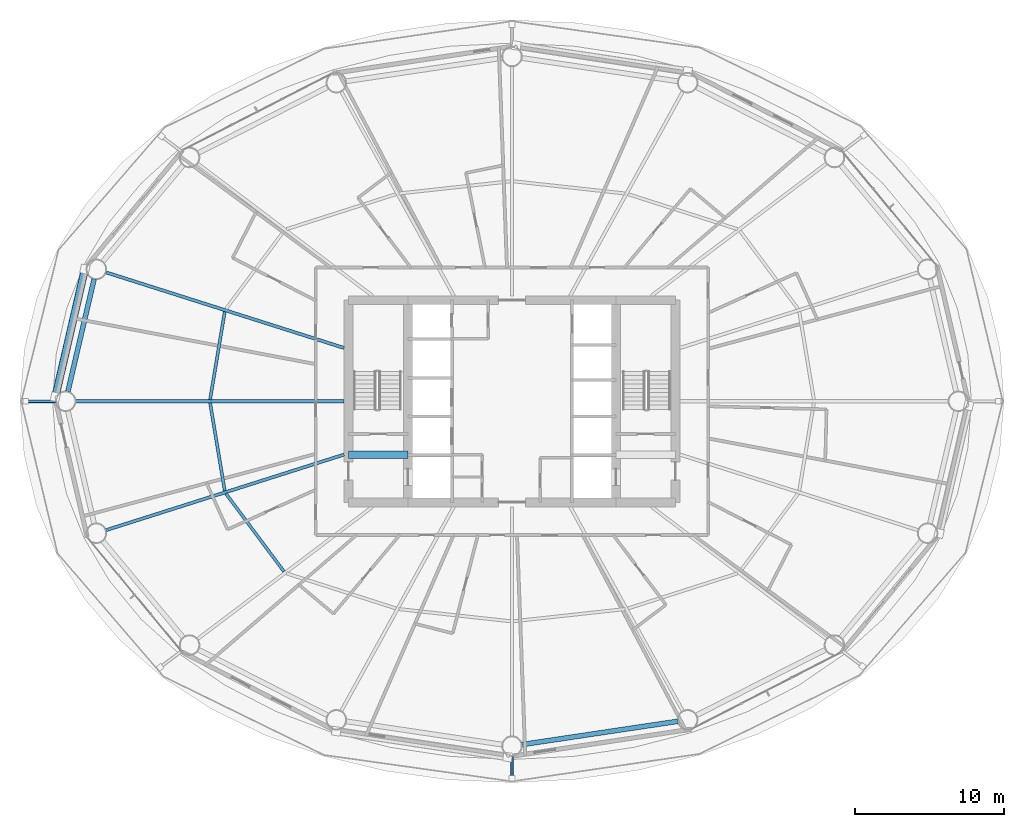
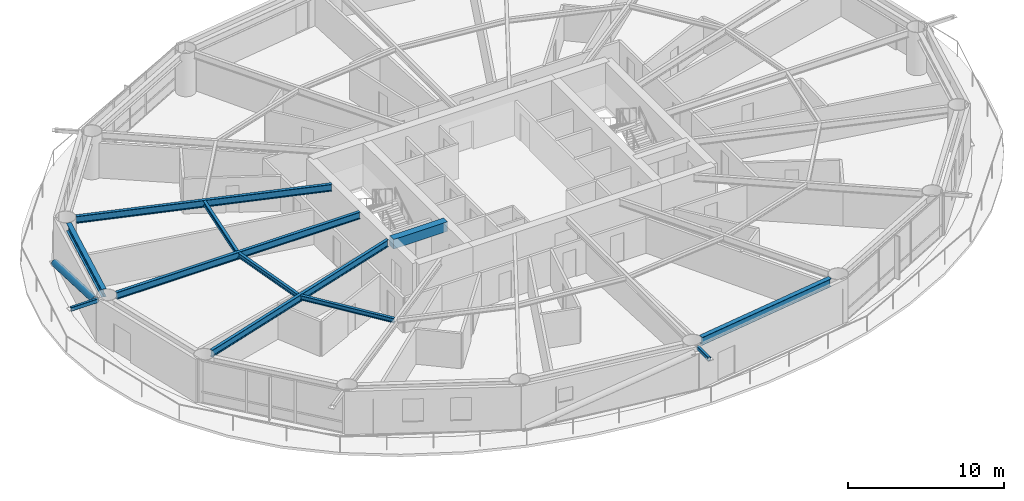
# One storey, part 5 of 26: 9 beams, 3 members.
"""IFC4 building model written with IfcOpenShell, lengths in metres."""

from ifc_helpers import new_model, si_unit, direction, frame, origin, origin_2d, place, context, subcontext, project, spatial, rectangle, hollow_rectangle, hollow_circle, i_section, extrude, material, material_profile, profile_set, type_object, element, save


model = new_model("IFC4")

# Units and contexts
model_context = context("Model", 3, precision=1e-05, world=origin(), true_north=direction((0.0, 1.0)))
body_context = subcontext(model_context, "Body", "Model", "MODEL_VIEW")
ifc_project = project(units=[si_unit("LENGTHUNIT", "METRE"), si_unit("AREAUNIT", "SQUARE_METRE"), si_unit("VOLUMEUNIT", "CUBIC_METRE"), si_unit("PLANEANGLEUNIT", "RADIAN"), si_unit("MASSUNIT", "GRAM", prefix="KILO")], contexts=[model_context])

# Site, building, storey
site_placement = place(None, origin())
site = spatial("IfcSite", under=ifc_project, at=site_placement, CompositionType="ELEMENT")
building_placement = place(site_placement, origin())
building = spatial("IfcBuilding", under=site, at=building_placement, Name="Sarneth Arch Tower", CompositionType="ELEMENT")
storey_placement = place(building_placement, frame((0.0, 0.0, 46.199951171875)))
storey = spatial("IfcBuildingStorey", under=building, at=storey_placement, Name="L10", CompositionType="ELEMENT", Elevation=46.199951171875)

# Beams
ifc_material_1 = material(Name="Steel S355", Category="steel")
ifc_material_profile_1 = material_profile(ifc_material_1, i_section(OverallWidth=0.2041015625, OverallDepth=0.35009765625, WebThickness=0.008544921875, FlangeThickness=0.01513671875, FilletRadius=0.014892578125, at=origin_2d()), Name="W360x72")
ifc_profile_set_1 = profile_set([ifc_material_profile_1], Name="Steel S355")
beam_type_1 = type_object("IfcBeamType", Name="BM-JOIST-360D", PredefinedType="JOIST", material=ifc_profile_set_1)
for number, where, z_axis, x_axis, name in (
    (1, (28.67138671875, 48.025146484375, 3.205078125), (-0.163917352659, -0.986474075431, 0.0), (0.986474075431, -0.163917352659, 0.0), "L10 Secondary floor joist 08"),
    (2, (27.687744140625, 41.89453125, 3.205078125), (0.163917352659, -0.986474075431, 0.0), (0.986474075431, 0.163917352659, 0.0), "L10 Secondary floor joist 09"),
):
    element("IfcBeam", number, at=place(storey_placement, frame(where, z_axis=z_axis, x_axis=x_axis)), inside=storey, type_object=beam_type_1, Name=name, PredefinedType="JOIST", context=body_context, shape_type="SweptSolid", body=[
        extrude(i_section(OverallWidth=0.2041015625, OverallDepth=0.35009765625, WebThickness=0.008544921875, FlangeThickness=0.01513671875, FilletRadius=0.014892578125, at=origin_2d()), origin(), (0.0, 0.0, 1.0), 6.000732421875),
    ])
beam_1_placement = place(storey_placement, frame((28.7529296875, 35.783447265625, 3.205078125), z_axis=(0.597453564101, -0.801903509621, 0.0), x_axis=(0.801903509621, 0.597453564101, 0.0)))
element("IfcBeam", 3, at=beam_1_placement, inside=storey, type_object=beam_type_1, Name="L10 Secondary floor joist 10", PredefinedType="JOIST", context=body_context, shape_type="SweptSolid", body=[
    extrude(i_section(OverallWidth=0.2041015625, OverallDepth=0.35009765625, WebThickness=0.008544921875, FlangeThickness=0.01513671875, FilletRadius=0.014892578125, at=origin_2d()), origin(), (0.0, 0.0, 1.0), 6.542724609375),
])
ifc_material_2 = material(Name="Concrete C50/60", Category="concrete")
ifc_material_profile_2 = material_profile(ifc_material_2, rectangle(XDim=0.5, YDim=0.75, at=origin_2d()), Name="RC-500x750")
ifc_profile_set_2 = profile_set([ifc_material_profile_2], Name="Concrete C50/60")
beam_type_2 = type_object("IfcBeamType", Name="BM-LINTEL-RC", PredefinedType="LINTEL", material=ifc_profile_set_2)
beam_2_placement = place(storey_placement, frame((37.0, 38.39990234375, 3.005126953125), z_axis=(1.0, 0.0, 0.0), x_axis=(0.0, 1.0, 0.0)))
element("IfcBeam", 4, at=beam_2_placement, inside=storey, type_object=beam_type_2, Name="L10 Core coupling lintel W", PredefinedType="LINTEL", context=body_context, shape_type="SweptSolid", body=[
    extrude(rectangle(XDim=0.5, YDim=0.75, at=origin_2d()), origin(), (0.0, 0.0, 1.0), 4.0),
])
ifc_material_3 = material(Name="Steel S355", Category="steel")
ifc_material_profile_3 = material_profile(ifc_material_3, i_section(OverallWidth=0.214111328125, OverallDepth=0.549072265625, WebThickness=0.0146484375, FlangeThickness=0.023681640625, FilletRadius=0.01806640625, at=origin_2d()), Name="W530x138")
ifc_profile_set_3 = profile_set([ifc_material_profile_3], Name="Steel S355")
beam_type_3 = type_object("IfcBeamType", Name="BM-RAD-530A", PredefinedType="BEAM", material=ifc_profile_set_3)
beam_3_placement = place(storey_placement, frame((36.699951171875, 45.58740234375, 3.10546875), z_axis=(-0.953119945629, 0.302592744864, 0.0), x_axis=(-0.302592744864, -0.953119945629, 0.0)))
element("IfcBeam", 5, at=beam_3_placement, inside=storey, type_object=beam_type_3, Name="L10 Radial floor girder 08", PredefinedType="BEAM", context=body_context, shape_type="SweptSolid", body=[
    extrude(i_section(OverallWidth=0.214111328125, OverallDepth=0.549072265625, WebThickness=0.0146484375, FlangeThickness=0.023681640625, FilletRadius=0.01806640625, at=origin_2d()), origin(), (0.0, 0.0, 1.0), 16.810302734375),
])
beam_4_placement = place(storey_placement, frame((36.699951171875, 42.0, 3.10546875), z_axis=(-1.0, 0.0, 0.0), x_axis=(0.0, -1.0, 0.0)))
element("IfcBeam", 6, at=beam_4_placement, inside=storey, type_object=beam_type_3, Name="L10 Radial floor girder 09", PredefinedType="BEAM", context=body_context, shape_type="SweptSolid", body=[
    extrude(i_section(OverallWidth=0.214111328125, OverallDepth=0.549072265625, WebThickness=0.0146484375, FlangeThickness=0.023681640625, FilletRadius=0.01806640625, at=origin_2d()), origin(), (0.0, 0.0, 1.0), 18.059814453125),
])
beam_5_placement = place(storey_placement, frame((36.699951171875, 38.41259765625, 3.10546875), z_axis=(-0.953119945629, -0.302592744864, 0.0), x_axis=(0.302592744864, -0.953119945629, 0.0)))
element("IfcBeam", 7, at=beam_5_placement, inside=storey, type_object=beam_type_3, Name="L10 Radial floor girder 10", PredefinedType="BEAM", context=body_context, shape_type="SweptSolid", body=[
    extrude(i_section(OverallWidth=0.214111328125, OverallDepth=0.549072265625, WebThickness=0.0146484375, FlangeThickness=0.023681640625, FilletRadius=0.01806640625, at=origin_2d()), origin(), (0.0, 0.0, 1.0), 16.810302734375),
])
ifc_material_4 = material(Name="Steel S355", Category="steel")
ifc_material_profile_4 = material_profile(ifc_material_4, i_section(OverallWidth=0.326904296875, OverallDepth=0.6220703125, WebThickness=0.015380859375, FlangeThickness=0.0244140625, FilletRadius=0.01904296875, at=origin_2d()), Name="W610x195")
ifc_profile_set_4 = profile_set([ifc_material_profile_4], Name="Steel S355")
beam_type_4 = type_object("IfcBeamType", Name="BM-SPAN-610A", PredefinedType="SPANDREL", material=ifc_profile_set_4)
beam_6_placement = place(storey_placement, frame((19.88134765625, 50.220947265625, 3.069091796875), z_axis=(-0.227001042423, -0.973894515201, 0.0), x_axis=(0.973894515201, -0.227001042423, 0.0)))
element("IfcBeam", 8, at=beam_6_placement, inside=storey, type_object=beam_type_4, Name="L10 Perimeter spandrel beam 08", PredefinedType="SPANDREL", context=body_context, shape_type="SweptSolid", body=[
    extrude(i_section(OverallWidth=0.326904296875, OverallDepth=0.6220703125, WebThickness=0.015380859375, FlangeThickness=0.0244140625, FilletRadius=0.01904296875, at=origin_2d()), origin(), (0.0, 0.0, 1.0), 7.76611328125),
])
beam_7_placement = place(storey_placement, frame((48.66748046875, 18.899658203125, 3.069091796875), z_axis=(0.989015788086, 0.147809914809, 0.0), x_axis=(-0.147809914809, 0.989015788086, 0.0)))
element("IfcBeam", 9, at=beam_7_placement, inside=storey, type_object=beam_type_4, Name="L10 Perimeter spandrel beam 13", PredefinedType="SPANDREL", context=body_context, shape_type="SweptSolid", body=[
    extrude(i_section(OverallWidth=0.326904296875, OverallDepth=0.6220703125, WebThickness=0.015380859375, FlangeThickness=0.0244140625, FilletRadius=0.01904296875, at=origin_2d()), origin(), (0.0, 0.0, 1.0), 10.59912109375),
])

# Members
ifc_material_5 = material(Name="Steel S355", Category="steel")
ifc_material_profile_5 = material_profile(ifc_material_5, hollow_rectangle(XDim=0.199951171875, YDim=0.300048828125, WallThickness=0.012451171875, InnerFilletRadius=0.018798828125, OuterFilletRadius=0.03125, at=origin_2d()), Name="RHS300x200x12.5")
ifc_profile_set_5 = profile_set([ifc_material_profile_5], Name="Steel S355")
member_type_1 = type_object("IfcMemberType", Name="MEM-CANT-STRUT", PredefinedType="STRUT", material=ifc_profile_set_5)
member_1_placement = place(storey_placement, frame((17.290283203125, 42.0, 3.219970703125), z_axis=(-1.0, 0.0, 0.0), x_axis=(0.0, -1.0, 0.0)))
element("IfcMember", 10, at=member_1_placement, inside=storey, type_object=member_type_1, Name="L10 Balcony cantilever bracket 09", PredefinedType="STRUT", context=body_context, shape_type="SweptSolid", body=[
    extrude(hollow_rectangle(XDim=0.199951171875, YDim=0.300048828125, WallThickness=0.012451171875, InnerFilletRadius=0.018798828125, OuterFilletRadius=0.03125, at=origin_2d()), origin(), (0.0, 0.0, 1.0), 2.01904296875),
])
member_2_placement = place(storey_placement, frame((48.0, 18.125, 3.219970703125), z_axis=(0.0, -1.0, 0.0), x_axis=(1.0, 0.0, 0.0)))
element("IfcMember", 11, at=member_2_placement, inside=storey, type_object=member_type_1, Name="L10 Balcony cantilever bracket 13", PredefinedType="STRUT", context=body_context, shape_type="SweptSolid", body=[
    extrude(hollow_rectangle(XDim=0.199951171875, YDim=0.300048828125, WallThickness=0.012451171875, InnerFilletRadius=0.018798828125, OuterFilletRadius=0.03125, at=origin_2d()), origin(), (0.0, 0.0, 1.0), 1.48095703125),
])
ifc_material_6 = material(Name="Steel S355", Category="steel")
ifc_material_profile_6 = material_profile(ifc_material_6, hollow_circle(Radius=0.25390625, WallThickness=0.01611328125, at=origin_2d()), Name="CHS508x16")
ifc_profile_set_6 = profile_set([ifc_material_profile_6], Name="Steel S355")
member_type_2 = type_object("IfcMemberType", Name="MEM-DIAG-BR1", PredefinedType="BRACE", material=ifc_profile_set_6)
member_3_placement = place(storey_placement, frame((19.260986328125, 50.884521484375, 0.02001953125), z_axis=(-0.213332307958, -0.922814312474, 0.320785085492), x_axis=(0.974304339016, -0.225235554419, 0.0)))
element("IfcMember", 12, at=member_3_placement, inside=storey, type_object=member_type_2, Name="L10 Perimeter frame diagonal 08", PredefinedType="BRACE", context=body_context, shape_type="SweptSolid", body=[
    extrude(hollow_circle(Radius=0.25390625, WallThickness=0.01611328125, at=origin_2d()), origin(), (0.0, 0.0, 1.0), 9.31103515625),
])

save(model, "model.ifc")
